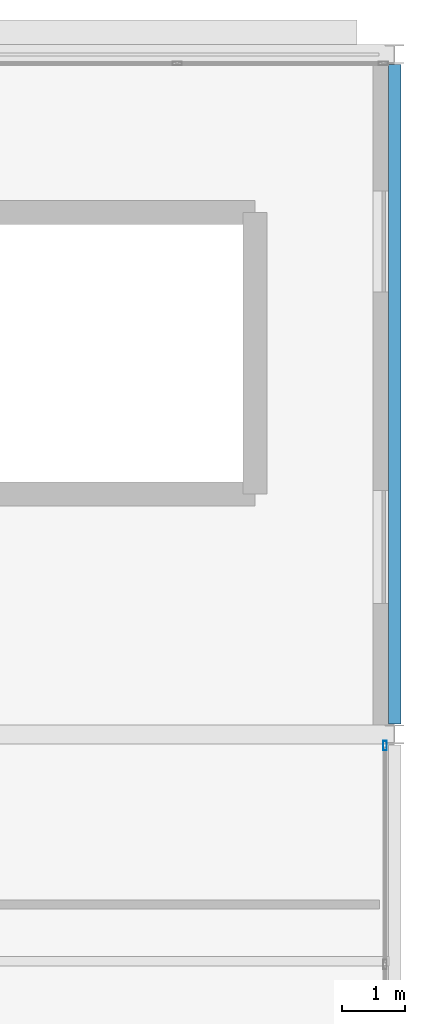
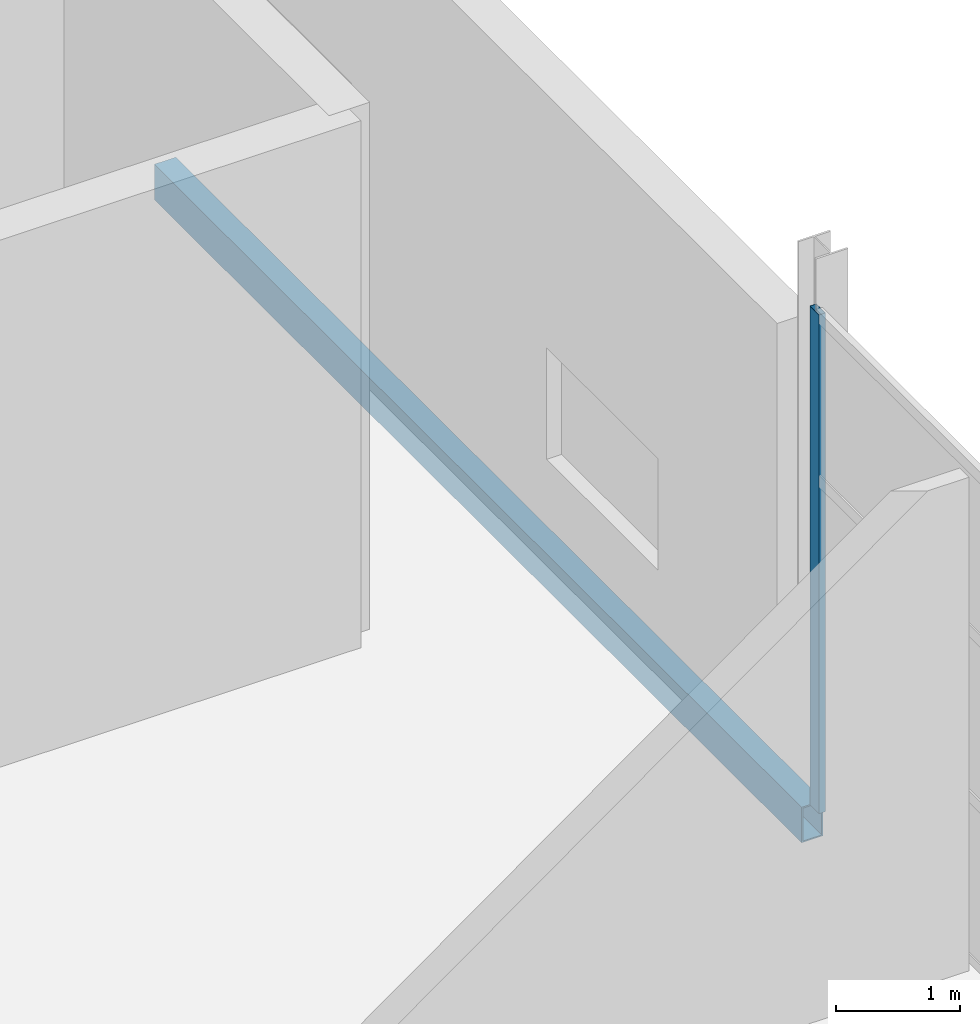
# One storey, part 26 of 34: 1 beam, 1 member, 1 element without a shape of its own.
"""IFC4 building model written with IfcOpenShell, lengths in metres."""

from ifc_helpers import new_model, si_unit, direction, frame, origin, origin_2d, place, context, subcontext, project, spatial, hollow_rectangle, extrude, material, layer, layer_set, material_profile, profile_set, type_object, element, aggregate, save


model = new_model("IFC4")

# Units and contexts
model_context = context("Model", 3, precision=1e-05, world=origin(), true_north=direction((0.0, 1.0)))
body_context = subcontext(model_context, "Body", "Model", "MODEL_VIEW")
ifc_project = project(units=[si_unit("LENGTHUNIT", "METRE"), si_unit("AREAUNIT", "SQUARE_METRE"), si_unit("VOLUMEUNIT", "CUBIC_METRE"), si_unit("PLANEANGLEUNIT", "RADIAN"), si_unit("MASSUNIT", "GRAM", prefix="KILO")], contexts=[model_context])

# Site, building, storey
site_placement = place(None, origin())
site = spatial("IfcSite", under=ifc_project, at=site_placement, CompositionType="ELEMENT")
building_placement = place(site_placement, origin())
building = spatial("IfcBuilding", under=site, at=building_placement, Name="Tamarisk Ironworks Central Station", CompositionType="ELEMENT")
storey_placement = place(building_placement, frame((0.0, 0.0, 25.199951171875)))
storey = spatial("IfcBuildingStorey", under=building, at=storey_placement, Name="L05", CompositionType="ELEMENT", Elevation=25.199951171875)

# Beam
ifc_material_1 = material(Name="Structural steel S355J2", Category="steel")
ifc_material_profile_1 = material_profile(ifc_material_1, hollow_rectangle(XDim=0.199951171875, YDim=0.35009765625, WallThickness=0.012451171875, at=origin_2d()), Name="RHS 350x200x12.5")
ifc_profile_set_1 = profile_set([ifc_material_profile_1], Name="Structural steel S355J2")
beam_type = type_object("IfcBeamType", Name="BM-SP01", PredefinedType="SPANDREL", material=ifc_profile_set_1)
beam_placement = place(storey_placement, frame((180.0, 111.76806640625, -0.39501953125), z_axis=(0.0, 1.0, 0.0), x_axis=(-1.0, 0.0, 0.0)))
element("IfcBeam", 1, at=beam_placement, inside=storey, type_object=beam_type, Name="L05 primary girder Y-0785", PredefinedType="SPANDREL", context=body_context, shape_type="SweptSolid", body=[
    extrude(hollow_rectangle(XDim=0.199951171875, YDim=0.35009765625, WallThickness=0.012451171875, at=origin_2d()), origin(), (0.0, 0.0, 1.0), 10.4638671875),
])

# Curtain wall, member
ifc_material_2 = material(Name="Anodized aluminium alloy 6063-T6", Category="aluminium")
ifc_layer = layer(ifc_material_2, 0.179931640625)
ifc_layer_set = layer_set([ifc_layer], Name="Anodized aluminium alloy 6063-T6")
curtain_wall_type = type_object("IfcCurtainWallType", Name="CW-23", PredefinedType="USERDEFINED", material=ifc_layer_set)
curtain_wall_placement = place(storey_placement, origin())
curtain_wall = element("IfcCurtainWall", 2, at=curtain_wall_placement, inside=storey, type_object=curtain_wall_type, Name="Operations L05 east facade curtain wall 100", ObjectType="GLAZED CURTAIN WALL", PredefinedType="USERDEFINED")
ifc_material_profile_2 = material_profile(ifc_material_2, hollow_rectangle(XDim=0.06005859375, YDim=0.14990234375, WallThickness=0.00341796875, at=origin_2d()), Name="ALUM 150x60")
ifc_profile_set_2 = profile_set([ifc_material_profile_2], Name="Anodized aluminium alloy 6063-T6")
member_type = type_object("IfcMemberType", Name="CWM-03", PredefinedType="MULLION", material=ifc_profile_set_2)
member_placement = place(storey_placement, frame((179.85009765625, 111.422119140625, 0.0), z_axis=(0.0, 0.0, 1.0), x_axis=(-1.0, 0.0, 0.0)))
member = element("IfcMember", 3, at=member_placement, type_object=member_type, Name="CW23 mullion 4", PredefinedType="MULLION", context=body_context, shape_type="SweptSolid", body=[
    extrude(hollow_rectangle(XDim=0.06005859375, YDim=0.14990234375, WallThickness=0.00341796875, at=origin_2d()), origin(), (0.0, 0.0, 1.0), 4.920166015625),
])
aggregate(curtain_wall, [member])

save(model, "model.ifc")
